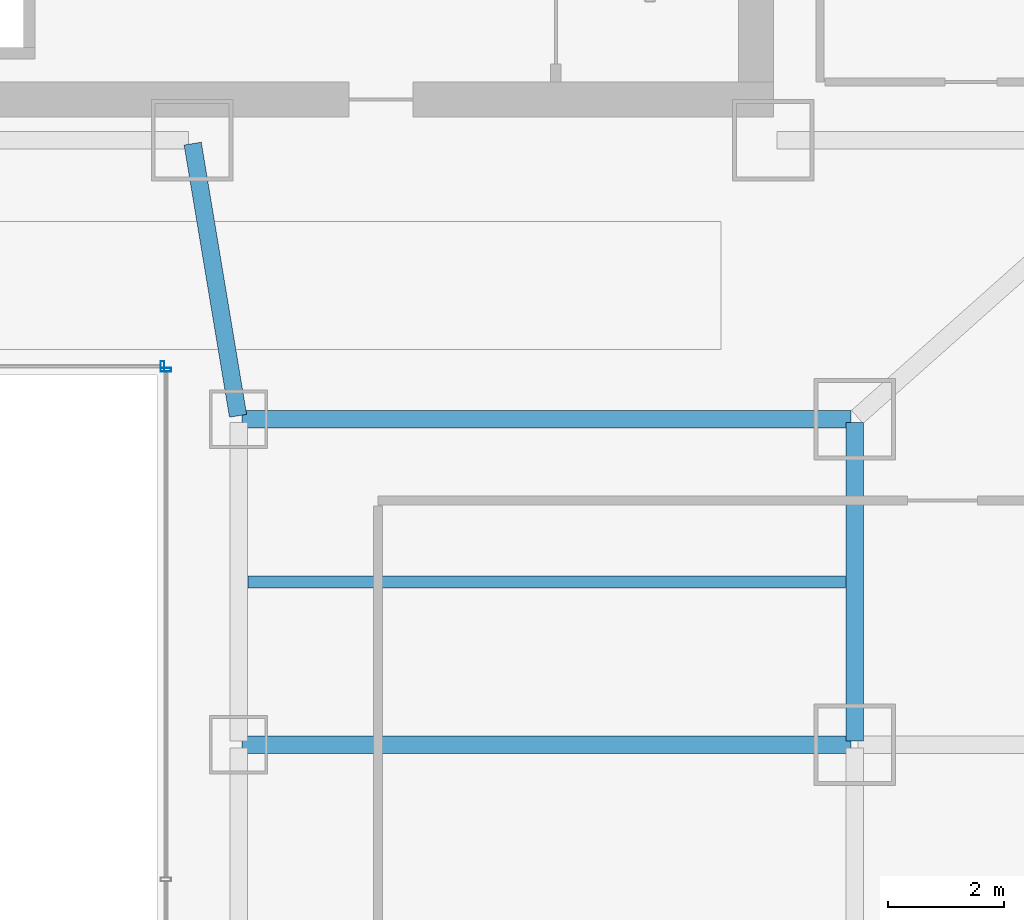
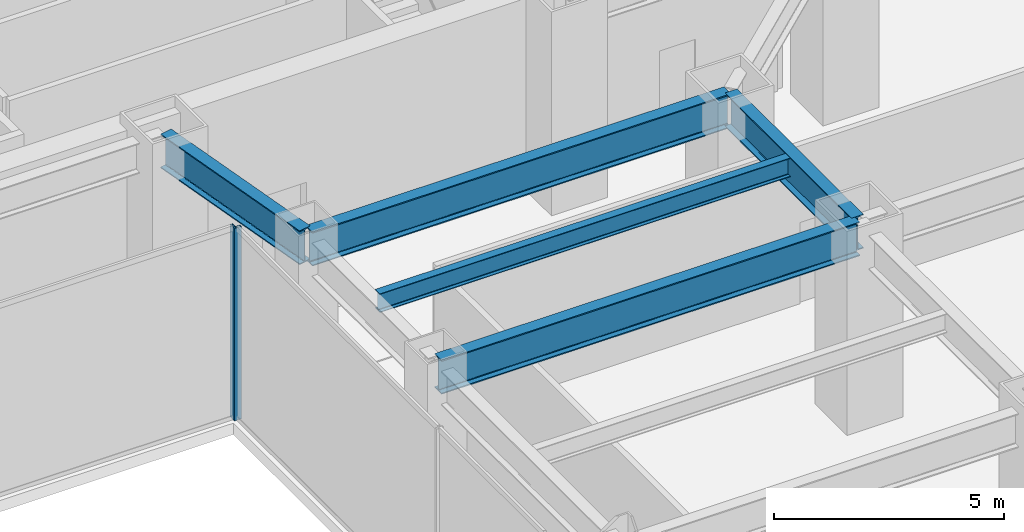
# One storey, part 26 of 51: 5 beams, 2 members, 2 elements without a shape of their own.
"""IFC4 building model written with IfcOpenShell, lengths in metres."""

from ifc_helpers import new_model, si_unit, direction, frame, origin, origin_2d, place, context, subcontext, project, spatial, hollow_rectangle, i_section, extrude, material, material_profile, profile_set, type_object, element, aggregate, save


model = new_model("IFC4")

# Units and contexts
model_context = context("Model", 3, precision=1e-05, world=origin(), true_north=direction((0.0, 1.0)))
body_context = subcontext(model_context, "Body", "Model", "MODEL_VIEW")
ifc_project = project(units=[si_unit("LENGTHUNIT", "METRE"), si_unit("AREAUNIT", "SQUARE_METRE"), si_unit("VOLUMEUNIT", "CUBIC_METRE"), si_unit("PLANEANGLEUNIT", "RADIAN"), si_unit("MASSUNIT", "GRAM", prefix="KILO")], contexts=[model_context])

# Site, building, storey
site_placement = place(None, origin())
site = spatial("IfcSite", under=ifc_project, at=site_placement, CompositionType="ELEMENT")
building_placement = place(site_placement, origin())
building = spatial("IfcBuilding", under=site, at=building_placement, Name="Saevonmaru Cultural Tower", CompositionType="ELEMENT")
storey_placement = place(building_placement, frame((0.0, 0.0, 6.0)))
storey = spatial("IfcBuildingStorey", under=building, at=storey_placement, Name="L01", CompositionType="ELEMENT", Elevation=6.0)

# Beams
ifc_material_1 = material(Name="Steel SM420", Category="steel")
ifc_material_profile_1 = material_profile(ifc_material_1, i_section(OverallWidth=0.300048828125, OverallDepth=0.89990234375, WebThickness=0.01611328125, FlangeThickness=0.028076171875, FilletRadius=0.028076171875, at=origin_2d()), Name="H-900x300x16x28")
ifc_profile_set_1 = profile_set([ifc_material_profile_1], Name="Steel SM420")
beam_type_1 = type_object("IfcBeamType", Name="BM-G-H900", PredefinedType="BEAM", material=ifc_profile_set_1)
beam_1_placement = place(storey_placement, frame((37.190185546875, 37.6591796875, 4.64990234375), z_axis=(-0.164398987305, 0.986393923832, 0.0), x_axis=(-0.986393923832, -0.164398987305, 0.0)))
element("IfcBeam", 1, at=beam_1_placement, inside=storey, type_object=beam_type_1, Name="L01 Podium Girder NS3-6", PredefinedType="BEAM", context=body_context, shape_type="SweptSolid", body=[
    extrude(i_section(OverallWidth=0.300048828125, OverallDepth=0.89990234375, WebThickness=0.01611328125, FlangeThickness=0.028076171875, FilletRadius=0.028076171875, at=origin_2d()), origin(), (0.0, 0.0, 1.0), 4.746337890625),
])
beam_2_placement = place(storey_placement, frame((47.800048828125, 32.06005859375, 4.64990234375), z_axis=(0.0, 1.0, 0.0), x_axis=(-1.0, 0.0, 0.0)))
element("IfcBeam", 2, at=beam_2_placement, inside=storey, type_object=beam_type_1, Name="L01 Podium Girder NS4-5", PredefinedType="BEAM", context=body_context, shape_type="SweptSolid", body=[
    extrude(i_section(OverallWidth=0.300048828125, OverallDepth=0.89990234375, WebThickness=0.01611328125, FlangeThickness=0.028076171875, FilletRadius=0.028076171875, at=origin_2d()), origin(), (0.0, 0.0, 1.0), 5.47998046875),
])
for number, where, z_axis, x_axis, name in (
    (3, (37.260009765625, 32.0, 4.64990234375), (1.0, 0.0, 0.0), (0.0, 1.0, 0.0), "L01 Gallery Girder E-4"),
    (4, (37.260009765625, 37.60009765625, 4.64990234375), (1.0, 0.0, 0.0), (0.0, 1.0, 0.0), "L01 Gallery Girder E-5"),
):
    element("IfcBeam", number, at=place(storey_placement, frame(where, z_axis=z_axis, x_axis=x_axis)), inside=storey, type_object=beam_type_1, Name=name, PredefinedType="BEAM", context=body_context, shape_type="SweptSolid", body=[
        extrude(i_section(OverallWidth=0.300048828125, OverallDepth=0.89990234375, WebThickness=0.01611328125, FlangeThickness=0.028076171875, FilletRadius=0.028076171875, at=origin_2d()), origin(), (0.0, 0.0, 1.0), 10.47998046875),
    ])
ifc_material_2 = material(Name="Steel SM355", Category="steel")
ifc_material_profile_2 = material_profile(ifc_material_2, i_section(OverallWidth=0.199951171875, OverallDepth=0.5, WebThickness=0.010009765625, FlangeThickness=0.01611328125, FilletRadius=0.02001953125, at=origin_2d()), Name="H-500x200x10x16")
ifc_profile_set_2 = profile_set([ifc_material_profile_2], Name="Steel SM355")
beam_type_2 = type_object("IfcBeamType", Name="BM-J-H500", PredefinedType="JOIST", material=ifc_profile_set_2)
beam_3_placement = place(storey_placement, frame((37.35791015625, 34.800048828125, 4.85009765625), z_axis=(1.0, 0.0, 0.0), x_axis=(0.0, 1.0, 0.0)))
element("IfcBeam", 5, at=beam_3_placement, inside=storey, type_object=beam_type_2, Name="L01 Secondary Floor Joist JE-4", PredefinedType="JOIST", context=body_context, shape_type="SweptSolid", body=[
    extrude(i_section(OverallWidth=0.199951171875, OverallDepth=0.5, WebThickness=0.010009765625, FlangeThickness=0.01611328125, FilletRadius=0.02001953125, at=origin_2d()), origin(), (0.0, 0.0, 1.0), 10.2841796875),
])

# Curtain wall, member
ifc_material_3 = material(Name="Satin Bronze Anodised Aluminium", Category="aluminium")
curtain_wall_type = type_object("IfcCurtainWallType", Name="CW-ATR-GLZ", PredefinedType="NOTDEFINED", material=ifc_material_3)
curtain_wall_1_placement = place(storey_placement, origin())
curtain_wall_1 = element("IfcCurtainWall", 6, at=curtain_wall_1_placement, inside=storey, type_object=curtain_wall_type, Name="L01 Vertical Atrium Glazed Smoke Screen 2", PredefinedType="NOTDEFINED")
ifc_material_profile_3 = material_profile(ifc_material_3, hollow_rectangle(XDim=0.06494140625, YDim=0.179931640625, WallThickness=0.00390625, at=origin_2d()), Name="ALU-MULL-180x65x4")
ifc_profile_set_3 = profile_set([ifc_material_profile_3], Name="Satin Bronze Anodised Aluminium")
member_type = type_object("IfcMemberType", Name="ML-CW-INT-180x65", PredefinedType="MULLION", material=ifc_profile_set_3)
member_1_placement = place(storey_placement, frame((35.949951171875, 38.449951171875, 0.0), z_axis=(0.0, 0.0, 1.0), x_axis=(0.0, 1.0, 0.0)))
member_1 = element("IfcMember", 7, at=member_1_placement, type_object=member_type, Name="CW-ATR-L01-2 mullion 3", PredefinedType="MULLION", context=body_context, shape_type="SweptSolid", body=[
    extrude(hollow_rectangle(XDim=0.06494140625, YDim=0.179931640625, WallThickness=0.00390625, at=origin_2d()), origin(), (0.0, 0.0, 1.0), 5.10009765625),
])
aggregate(curtain_wall_1, [member_1])

curtain_wall_2_placement = place(storey_placement, origin())
curtain_wall_2 = element("IfcCurtainWall", 8, at=curtain_wall_2_placement, inside=storey, type_object=curtain_wall_type, Name="L01 Vertical Atrium Glazed Smoke Screen 3", PredefinedType="NOTDEFINED")
member_2_placement = place(storey_placement, frame((35.889892578125, 38.510009765625, 0.0), z_axis=(0.0, 0.0, 1.0), x_axis=(-1.0, 0.0, 0.0)))
member_2 = element("IfcMember", 9, at=member_2_placement, type_object=member_type, Name="CW-ATR-L01-3 mullion 1", PredefinedType="MULLION", context=body_context, shape_type="SweptSolid", body=[
    extrude(hollow_rectangle(XDim=0.06494140625, YDim=0.179931640625, WallThickness=0.00390625, at=origin_2d()), origin(), (0.0, 0.0, 1.0), 5.10009765625),
])
aggregate(curtain_wall_2, [member_2])

save(model, "model.ifc")
